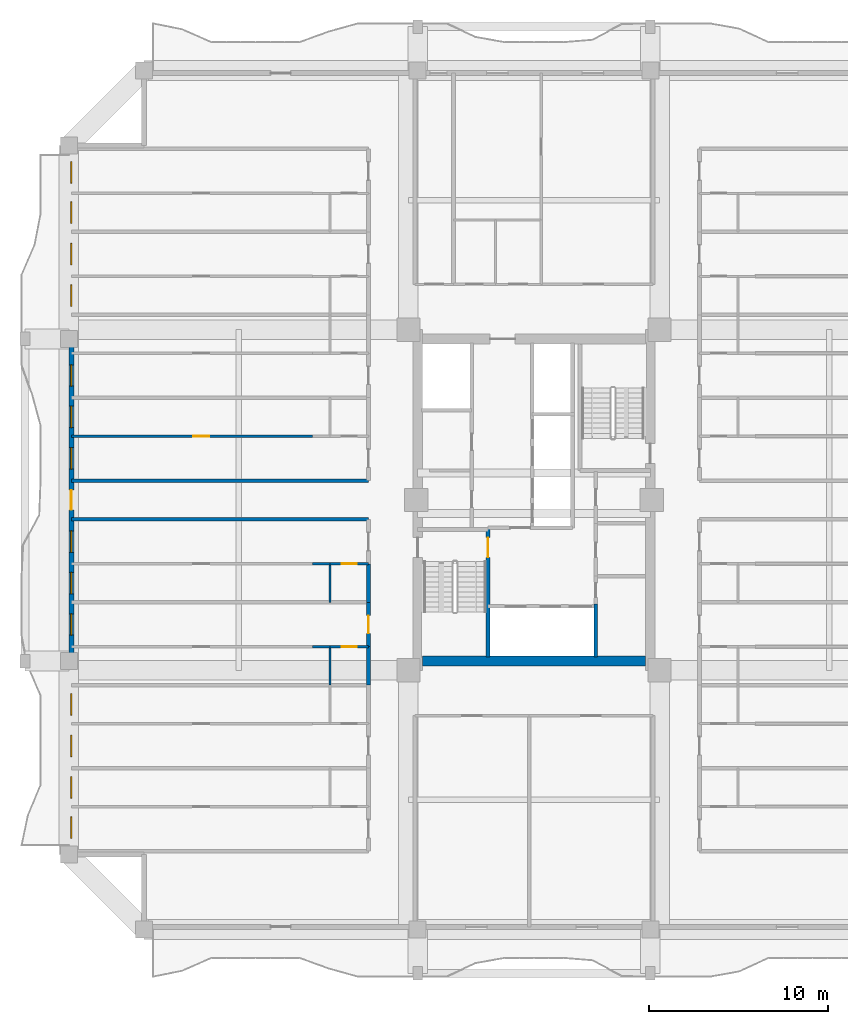
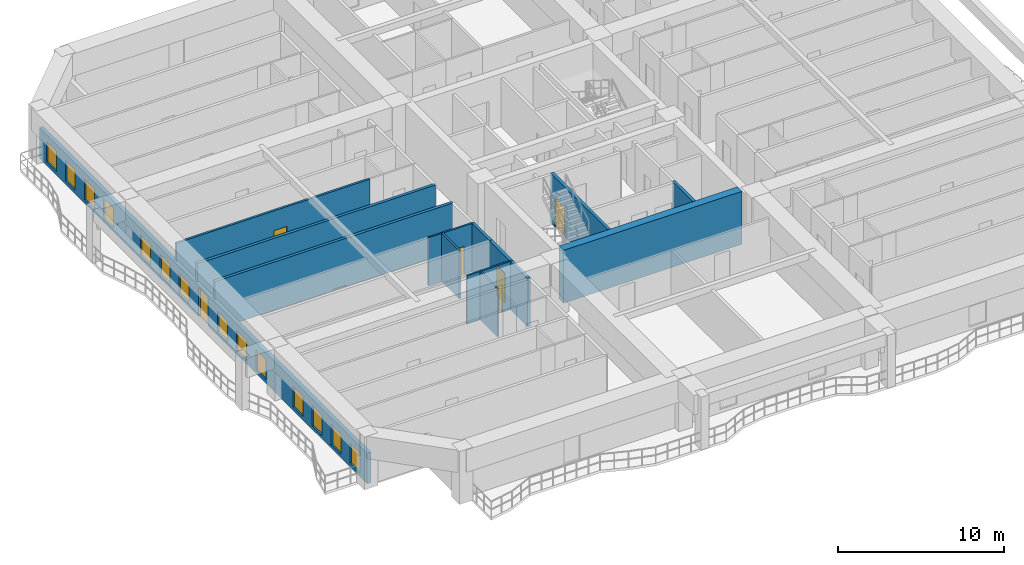
# One storey, part 3 of 13: 16 walls, 14 windows, 6 doors, 20 openings.
"""IFC4 building model written with IfcOpenShell, lengths in metres."""

import ifcopenshell
import ifcopenshell.guid

model = None  # the IFC model being written
_history = None  # IfcOwnerHistory: only IFC2X3 demands one
_inside = {}  # id of a spatial element -> (the spatial element, [elements in it])
_under = {}  # id of a project, library or spatial element -> (it, [spatial elements below it])
_declared = {}  # id of a project -> (the project, [libraries it declares])
_typed = {}  # id of a type object -> (the type object, [elements of that type])
_made_of = {}  # id of a material, layer set ... -> (it, [elements and type objects made of it])


def new_model(schema):
    """Start an empty IFC model of exactly this schema.

    Asked for "IFC4X3", IfcOpenShell would pick the latest addendum, in which some entities
    have other attributes; the version numbers below select the first issue.
    IFC2X3 requires an IfcOwnerHistory on every rooted entity: one is made here for all.
    """
    global model, _history
    if schema == "IFC4X3":
        model = ifcopenshell.file(schema_version=(4, 3, 0, 0))
    else:
        model = ifcopenshell.file(schema=schema)
    _inside.clear()
    _under.clear()
    _declared.clear()
    _typed.clear()
    _made_of.clear()
    _history = None
    if model.schema == "IFC2X3":
        org = make("IfcOrganization", Name="unknown")
        user = make(
            "IfcPersonAndOrganization",
            ThePerson=make("IfcPerson", FamilyName="unknown"),
            TheOrganization=org,
        )
        app = make(
            "IfcApplication",
            ApplicationDeveloper=org,
            Version="unknown",
            ApplicationFullName="unknown",
            ApplicationIdentifier="unknown",
        )
        _history = make(
            "IfcOwnerHistory",
            OwningUser=user,
            OwningApplication=app,
            ChangeAction="ADDED",
            CreationDate=0,
        )
    return model


def make(cls, **values):
    """One entity of the class cls with the attributes given. An attribute that is None is left unset."""
    return model.create_entity(
        cls, **{name: value for name, value in values.items() if value is not None}
    )


def rooted(cls, **values):
    """An entity with a GlobalId (a new one), such as an element, a storey or a relation."""
    return make(cls, GlobalId=ifcopenshell.guid.new(), OwnerHistory=_history, **values)


def si_unit(unit_type, name, prefix=None):
    """IfcSIUnit, for example si_unit("LENGTHUNIT", "METRE", prefix="MILLI")."""
    return make("IfcSIUnit", UnitType=unit_type, Prefix=prefix, Name=name)


def assignment(units):
    """IfcUnitAssignment: the units of a project."""
    return None if units is None else make("IfcUnitAssignment", Units=units)


def point(xyz):
    """IfcCartesianPoint."""
    return None if xyz is None else make("IfcCartesianPoint", Coordinates=xyz)


def direction(xyz):
    """IfcDirection."""
    return None if xyz is None else make("IfcDirection", DirectionRatios=xyz)


def frame(location, z_axis=None, x_axis=None):
    """IfcAxis2Placement3D, a coordinate frame: its origin and axes. An axis left out is left unset."""
    return make(
        "IfcAxis2Placement3D",
        Location=point(location),
        Axis=direction(z_axis),
        RefDirection=direction(x_axis),
    )


def frame_2d(location, x_axis=None):
    """IfcAxis2Placement2D, a coordinate frame in the plane: its origin and x axis."""
    return make(
        "IfcAxis2Placement2D", Location=point(location), RefDirection=direction(x_axis)
    )


def origin():
    """The frame at (0, 0, 0) with its axes left unset."""
    return frame((0.0, 0.0, 0.0))


def place(relative_to, where):
    """IfcLocalPlacement: puts the frame where relative to a parent placement (None: the world)."""
    return make(
        "IfcLocalPlacement", PlacementRelTo=relative_to, RelativePlacement=where
    )


def context(
    kind, dimensions, precision=None, world=None, true_north=None, identifier=None
):
    """IfcGeometricRepresentationContext, for example the 3D "Model" context."""
    return make(
        "IfcGeometricRepresentationContext",
        ContextIdentifier=identifier,
        ContextType=kind,
        CoordinateSpaceDimension=dimensions,
        Precision=precision,
        WorldCoordinateSystem=world,
        TrueNorth=true_north,
    )


def subcontext(parent, identifier, kind, view, scale=None):
    """IfcGeometricRepresentationSubContext, for example "Body" below "Model"."""
    return make(
        "IfcGeometricRepresentationSubContext",
        ContextIdentifier=identifier,
        ContextType=kind,
        ParentContext=parent,
        TargetScale=scale,
        TargetView=view,
    )


def project(units=None, contexts=None):
    """IfcProject with its units and contexts."""
    return rooted(
        "IfcProject",
        Name="project",
        RepresentationContexts=contexts,
        UnitsInContext=assignment(units),
    )


def spatial(cls, under=None, at=None, **own):
    """A site, building, storey or space (cls), placed at a placement, below another one or the project."""
    s = rooted(cls, ObjectPlacement=at, **own)
    if under is not None:
        _under.setdefault(under.id(), (under, []))[1].append(s)
    return s


def profile(cls, at=None, kind="AREA", **sizes):
    """A parametric profile (cls). Its sizes go by their IFC names, for example OverallWidth=200.0."""
    return make(cls, ProfileType=kind, Position=at, **sizes)


def rectangle(**sizes):
    """IfcRectangleProfileDef."""
    return profile("IfcRectangleProfileDef", **sizes)


def extrude(swept, where, along, depth):
    """IfcExtrudedAreaSolid: the profile swept, set in the frame where, extruded along a direction by depth."""
    return make(
        "IfcExtrudedAreaSolid",
        SweptArea=swept,
        Position=where,
        ExtrudedDirection=direction(along),
        Depth=depth,
    )


def shape(context_of_items, identifier, shape_type, items):
    """IfcShapeRepresentation: the items that make up one representation, for example the "Body"."""
    return make(
        "IfcShapeRepresentation",
        ContextOfItems=context_of_items,
        RepresentationIdentifier=identifier,
        RepresentationType=shape_type,
        Items=items,
    )


def source(mapping_origin, context_of_items, identifier, shape_type, items):
    """IfcRepresentationMap: a shape defined once, which mapped items show again and again."""
    return make(
        "IfcRepresentationMap",
        MappingOrigin=mapping_origin,
        MappedRepresentation=shape(context_of_items, identifier, shape_type, items),
    )


def transform(
    local_origin,
    x_axis=None,
    y_axis=None,
    z_axis=None,
    scale=None,
    scale2=None,
    scale3=None,
    uniform=True,
):
    """IfcCartesianTransformationOperator3D, or its non-uniform kind. x_axis, y_axis, z_axis: its Axis1, 2, 3."""
    if uniform:
        return make(
            "IfcCartesianTransformationOperator3D",
            Axis1=direction(x_axis),
            Axis2=direction(y_axis),
            LocalOrigin=point(local_origin),
            Scale=scale,
            Axis3=direction(z_axis),
        )
    return make(
        "IfcCartesianTransformationOperator3DnonUniform",
        Axis1=direction(x_axis),
        Axis2=direction(y_axis),
        LocalOrigin=point(local_origin),
        Scale=scale,
        Axis3=direction(z_axis),
        Scale2=scale2,
        Scale3=scale3,
    )


def mapped(mapping_source, mapping_target):
    """IfcMappedItem: shows the shape of a source again, moved by a transform."""
    return make(
        "IfcMappedItem", MappingSource=mapping_source, MappingTarget=mapping_target
    )


def material(Name=None, Category=None):
    """IfcMaterial."""
    return make("IfcMaterial", Name=Name, Category=Category)


def layer(
    of_material, thickness, ventilated=None, Name=None, Category=None, Priority=None
):
    """IfcMaterialLayer: one layer of a wall or slab, of a material (None: an air gap)."""
    return make(
        "IfcMaterialLayer",
        Material=of_material,
        LayerThickness=thickness,
        IsVentilated=ventilated,
        Name=Name,
        Category=Category,
        Priority=Priority,
    )


def layer_set(layers, Name=None):
    """IfcMaterialLayerSet."""
    return make("IfcMaterialLayerSet", MaterialLayers=layers, LayerSetName=Name)


def made_of(thing, what):
    """Note that an element or type object is made of a material, layer set ...; save() writes the relation."""
    if what is not None:
        _made_of.setdefault(what.id(), (what, []))[1].append(thing)
    return thing


def type_object(cls, material=None, **own):
    """A type object (cls), such as IfcWallType, which elements share."""
    return made_of(rooted(cls, **own), material)


def element(
    cls,
    number,
    at=None,
    inside=None,
    cuts=None,
    type_object=None,
    material=None,
    context=None,
    identifier="Body",
    shape_type=None,
    held_by="IfcProductDefinitionShape",
    body=None,
    shapes=None,
    **own,
):
    """One element of the class cls, such as IfcWall. Its Tag is "e" and its number.

    at: its placement. inside: the storey or other place that contains it. cuts: it is an
    opening in that element (IfcRelVoidsElement). A single representation is given by context,
    identifier, shape_type and body (its items); several are given by shapes. held_by: the class
    of the entity that holds the representations. save() writes the other relations.
    """
    e = rooted(cls, Tag="e%d" % number, ObjectPlacement=at, **own)
    if body is not None:
        shapes = [shape(context, identifier, shape_type, body)]
    if shapes is not None:
        e.Representation = make(held_by, Representations=shapes)
    if inside is not None:
        _inside.setdefault(inside.id(), (inside, []))[1].append(e)
    if cuts is not None:
        rooted(
            "IfcRelVoidsElement", RelatingBuildingElement=cuts, RelatedOpeningElement=e
        )
    if type_object is not None:
        _typed.setdefault(type_object.id(), (type_object, []))[1].append(e)
    return made_of(e, material)


def fill(opening, filler):
    """IfcRelFillsElement: the door or window that sits in an opening."""
    return rooted(
        "IfcRelFillsElement",
        RelatingOpeningElement=opening,
        RelatedBuildingElement=filler,
    )


def aggregate(whole, parts):
    """IfcRelAggregates: a whole, such as a stair, and the parts it consists of."""
    return rooted("IfcRelAggregates", RelatingObject=whole, RelatedObjects=parts)


def save(model, path):
    """Write the relations noted so far, then the file.

    IfcRelAggregates (storeys below a building ...), IfcRelContainedInSpatialStructure (elements
    in a storey), IfcRelDefinesByType, IfcRelAssociatesMaterial and IfcRelDeclares: one each for
    every whole, place, type object, material and project.
    """
    for whole, parts in _under.values():
        aggregate(whole, parts)
    for where, things in _inside.values():
        rooted(
            "IfcRelContainedInSpatialStructure",
            RelatedElements=things,
            RelatingStructure=where,
        )
    for kind, things in _typed.values():
        rooted("IfcRelDefinesByType", RelatedObjects=things, RelatingType=kind)
    for what, things in _made_of.values():
        rooted("IfcRelAssociatesMaterial", RelatedObjects=things, RelatingMaterial=what)
    for by, libraries in _declared.values():
        rooted("IfcRelDeclares", RelatingContext=by, RelatedDefinitions=libraries)
    model.write(path)


model = new_model("IFC4")

# Units and contexts
model_context = context("Model", 3, precision=1e-05, world=origin(), true_north=direction((0.0, 1.0)))
body_context = subcontext(model_context, "Body", "Model", "MODEL_VIEW")
ifc_project = project(units=[si_unit("LENGTHUNIT", "METRE"), si_unit("AREAUNIT", "SQUARE_METRE"), si_unit("VOLUMEUNIT", "CUBIC_METRE"), si_unit("PLANEANGLEUNIT", "RADIAN"), si_unit("MASSUNIT", "GRAM", prefix="KILO")], contexts=[model_context])

# Site, building, storey
site_placement = place(None, origin())
site = spatial("IfcSite", under=ifc_project, at=site_placement, CompositionType="ELEMENT")
building_placement = place(site_placement, origin())
building = spatial("IfcBuilding", under=site, at=building_placement, Name="Saelheon Loggia Tower", CompositionType="ELEMENT")
storey_placement = place(building_placement, frame((0.0, 0.0, 122.85009765625)))
storey = spatial("IfcBuildingStorey", under=building, at=storey_placement, Name="L39", CompositionType="ELEMENT", Elevation=122.85009765625)

# Wall
ifc_material_1 = material(Name="Concrete C50/60", Category="concrete")
ifc_layer_1 = layer(ifc_material_1, 0.550048828125)
ifc_layer_set_1 = layer_set([ifc_layer_1], Name="Concrete C50/60")
wall_type_1 = type_object("IfcWallType", Name="Wall_CoreShear_550", PredefinedType="SHEAR", material=ifc_layer_set_1)
wall_1_placement = place(storey_placement, frame((31.77490234375, 18.0, 0.0), z_axis=(0.0, 0.0, 1.0), x_axis=(1.0, 0.0, 0.0)))
element("IfcWall", 1, at=wall_1_placement, inside=storey, type_object=wall_type_1, Name="L39 Core Shear Wall South", PredefinedType="SHEAR", context=body_context, shape_type="SweptSolid", body=[
    extrude(rectangle(XDim=12.4501953125, YDim=0.550048828125, at=frame_2d((6.22509765625, 0.0))), origin(), (0.0, 0.0, 1.0), 3.89990234375),
])

# Wall, openings, windows, door
ifc_material_2 = material(Name="Architectural Precast Concrete C40/50", Category="concrete")
ifc_layer_2 = layer(ifc_material_2, 0.280029296875)
ifc_layer_set_2 = layer_set([ifc_layer_2], Name="Architectural Precast Concrete C40/50")
wall_type_2 = type_object("IfcWallType", Name="Wall_Ext_Loggia_280", PredefinedType="SOLIDWALL", material=ifc_layer_set_2)
wall_2_placement = place(storey_placement, frame((12.139892578125, 7.199951171875, 0.0), z_axis=(0.0, 0.0, 1.0), x_axis=(0.0, 1.0, 0.0)))
wall_2 = element("IfcWall", 2, at=wall_2_placement, inside=storey, type_object=wall_type_2, Name="L39 West Loggia Inner Wall", PredefinedType="SOLIDWALL", context=body_context, shape_type="SweptSolid", body=[
    extrude(rectangle(XDim=39.60009765625, YDim=0.280029296875, at=frame_2d((19.800048828125, 0.0))), origin(), (0.0, 0.0, 1.0), 2.239990234375),
])
opening_1_placement = place(wall_2_placement, frame((0.889892578125, 0.0, 0.25)))
opening_1 = element("IfcOpeningElement", 3, at=opening_1_placement, cuts=wall_2, Name="Opening WN-03", PredefinedType="OPENING", context=body_context, shape_type="SweptSolid", body=[
    extrude(rectangle(XDim=1.199951171875, YDim=1.5, at=frame_2d((0.60009765625, 0.75))), frame((0.0, 0.152099609375, 0.0), z_axis=(0.0, -1.0, 0.0), x_axis=(1.0, 0.0, 0.0)), (0.0, 0.0, 1.0), 0.303955078125),
])
opening_2_placement = place(wall_2_placement, frame((3.139892578125, 0.0, 0.25)))
opening_2 = element("IfcOpeningElement", 4, at=opening_2_placement, cuts=wall_2, Name="Opening WN-03", PredefinedType="OPENING", context=body_context, shape_type="SweptSolid", body=[
    extrude(rectangle(XDim=1.199951171875, YDim=1.5, at=frame_2d((0.60009765625, 0.75))), frame((0.0, 0.152099609375, 0.0), z_axis=(0.0, -1.0, 0.0), x_axis=(1.0, 0.0, 0.0)), (0.0, 0.0, 1.0), 0.303955078125),
])
opening_3_placement = place(wall_2_placement, frame((5.45751953125, 0.0, 0.25)))
opening_3 = element("IfcOpeningElement", 5, at=opening_3_placement, cuts=wall_2, Name="Opening WN-03", PredefinedType="OPENING", context=body_context, shape_type="SweptSolid", body=[
    extrude(rectangle(XDim=1.199951171875, YDim=1.5, at=frame_2d((0.60009765625, 0.75))), frame((0.0, 0.152099609375, 0.0), z_axis=(0.0, -1.0, 0.0), x_axis=(1.0, 0.0, 0.0)), (0.0, 0.0, 1.0), 0.303955078125),
])
opening_4_placement = place(wall_2_placement, frame((7.77490234375, 0.0, 0.25)))
opening_4 = element("IfcOpeningElement", 6, at=opening_4_placement, cuts=wall_2, Name="Opening WN-03", PredefinedType="OPENING", context=body_context, shape_type="SweptSolid", body=[
    extrude(rectangle(XDim=1.199951171875, YDim=1.5, at=frame_2d((0.60009765625, 0.75))), frame((0.0, 0.152099609375, 0.0), z_axis=(0.0, -1.0, 0.0), x_axis=(1.0, 0.0, 0.0)), (0.0, 0.0, 1.0), 0.303955078125),
])
opening_5_placement = place(wall_2_placement, frame((12.242431640625, 0.0, 0.25)))
opening_5 = element("IfcOpeningElement", 7, at=opening_5_placement, cuts=wall_2, Name="Opening WN-03", PredefinedType="OPENING", context=body_context, shape_type="SweptSolid", body=[
    extrude(rectangle(XDim=1.199951171875, YDim=1.5, at=frame_2d((0.60009765625, 0.75))), frame((0.0, 0.152099609375, 0.0), z_axis=(0.0, -1.0, 0.0), x_axis=(1.0, 0.0, 0.0)), (0.0, 0.0, 1.0), 0.303955078125),
])
opening_6_placement = place(wall_2_placement, frame((14.56005859375, 0.0, 0.25)))
opening_6 = element("IfcOpeningElement", 8, at=opening_6_placement, cuts=wall_2, Name="Opening WN-03", PredefinedType="OPENING", context=body_context, shape_type="SweptSolid", body=[
    extrude(rectangle(XDim=1.199951171875, YDim=1.5, at=frame_2d((0.60009765625, 0.75))), frame((0.0, 0.152099609375, 0.0), z_axis=(0.0, -1.0, 0.0), x_axis=(1.0, 0.0, 0.0)), (0.0, 0.0, 1.0), 0.303955078125),
])
opening_7_placement = place(wall_2_placement, frame((16.87744140625, 0.0, 0.25)))
opening_7 = element("IfcOpeningElement", 9, at=opening_7_placement, cuts=wall_2, Name="Opening WN-03", PredefinedType="OPENING", context=body_context, shape_type="SweptSolid", body=[
    extrude(rectangle(XDim=1.199951171875, YDim=1.5, at=frame_2d((0.60009765625, 0.75))), frame((0.0, 0.152099609375, 0.0), z_axis=(0.0, -1.0, 0.0), x_axis=(1.0, 0.0, 0.0)), (0.0, 0.0, 1.0), 0.303955078125),
])
opening_8_placement = place(wall_2_placement, frame((19.25, 0.0, 0.0)))
opening_8 = element("IfcOpeningElement", 10, at=opening_8_placement, cuts=wall_2, Name="Opening TD1", PredefinedType="OPENING", context=body_context, shape_type="SweptSolid", body=[
    extrude(rectangle(XDim=1.10009765625, YDim=2.14990234375, at=frame_2d((0.550048828125, 1.074951171875))), frame((0.0, 0.152099609375, 0.0), z_axis=(0.0, -1.0, 0.0), x_axis=(1.0, 0.0, 0.0)), (0.0, 0.0, 1.0), 0.303955078125),
])
opening_9_placement = place(wall_2_placement, frame((21.5224609375, 0.0, 0.25)))
opening_9 = element("IfcOpeningElement", 11, at=opening_9_placement, cuts=wall_2, Name="Opening WN-03", PredefinedType="OPENING", context=body_context, shape_type="SweptSolid", body=[
    extrude(rectangle(XDim=1.199951171875, YDim=1.5, at=frame_2d((0.60009765625, 0.75))), frame((0.0, 0.152099609375, 0.0), z_axis=(0.0, -1.0, 0.0), x_axis=(1.0, 0.0, 0.0)), (0.0, 0.0, 1.0), 0.303955078125),
])
opening_10_placement = place(wall_2_placement, frame((23.840087890625, 0.0, 0.25)))
opening_10 = element("IfcOpeningElement", 12, at=opening_10_placement, cuts=wall_2, Name="Opening WN-03", PredefinedType="OPENING", context=body_context, shape_type="SweptSolid", body=[
    extrude(rectangle(XDim=1.199951171875, YDim=1.5, at=frame_2d((0.60009765625, 0.75))), frame((0.0, 0.152099609375, 0.0), z_axis=(0.0, -1.0, 0.0), x_axis=(1.0, 0.0, 0.0)), (0.0, 0.0, 1.0), 0.303955078125),
])
opening_11_placement = place(wall_2_placement, frame((26.157470703125, 0.0, 0.25)))
opening_11 = element("IfcOpeningElement", 13, at=opening_11_placement, cuts=wall_2, Name="Opening WN-03", PredefinedType="OPENING", context=body_context, shape_type="SweptSolid", body=[
    extrude(rectangle(XDim=1.199951171875, YDim=1.5, at=frame_2d((0.60009765625, 0.75))), frame((0.0, 0.152099609375, 0.0), z_axis=(0.0, -1.0, 0.0), x_axis=(1.0, 0.0, 0.0)), (0.0, 0.0, 1.0), 0.303955078125),
])
opening_12_placement = place(wall_2_placement, frame((30.625, 0.0, 0.25)))
opening_12 = element("IfcOpeningElement", 14, at=opening_12_placement, cuts=wall_2, Name="Opening WN-03", PredefinedType="OPENING", context=body_context, shape_type="SweptSolid", body=[
    extrude(rectangle(XDim=1.199951171875, YDim=1.5, at=frame_2d((0.60009765625, 0.75))), frame((0.0, 0.152099609375, 0.0), z_axis=(0.0, -1.0, 0.0), x_axis=(1.0, 0.0, 0.0)), (0.0, 0.0, 1.0), 0.303955078125),
])
opening_13_placement = place(wall_2_placement, frame((32.9423828125, 0.0, 0.25)))
opening_13 = element("IfcOpeningElement", 15, at=opening_13_placement, cuts=wall_2, Name="Opening WN-03", PredefinedType="OPENING", context=body_context, shape_type="SweptSolid", body=[
    extrude(rectangle(XDim=1.199951171875, YDim=1.5, at=frame_2d((0.60009765625, 0.75))), frame((0.0, 0.152099609375, 0.0), z_axis=(0.0, -1.0, 0.0), x_axis=(1.0, 0.0, 0.0)), (0.0, 0.0, 1.0), 0.303955078125),
])
opening_14_placement = place(wall_2_placement, frame((35.260009765625, 0.0, 0.25)))
opening_14 = element("IfcOpeningElement", 16, at=opening_14_placement, cuts=wall_2, Name="Opening WN-03", PredefinedType="OPENING", context=body_context, shape_type="SweptSolid", body=[
    extrude(rectangle(XDim=1.199951171875, YDim=1.5, at=frame_2d((0.60009765625, 0.75))), frame((0.0, 0.152099609375, 0.0), z_axis=(0.0, -1.0, 0.0), x_axis=(1.0, 0.0, 0.0)), (0.0, 0.0, 1.0), 0.303955078125),
])
opening_15_placement = place(wall_2_placement, frame((37.510009765625, 0.0, 0.25)))
opening_15 = element("IfcOpeningElement", 17, at=opening_15_placement, cuts=wall_2, Name="Opening WN-03", PredefinedType="OPENING", context=body_context, shape_type="SweptSolid", body=[
    extrude(rectangle(XDim=1.199951171875, YDim=1.5, at=frame_2d((0.60009765625, 0.75))), frame((0.0, 0.152099609375, 0.0), z_axis=(0.0, -1.0, 0.0), x_axis=(1.0, 0.0, 0.0)), (0.0, 0.0, 1.0), 0.303955078125),
])
ifc_material_3 = material(Name="Thermal-Break Aluminium and Triple Low-E Glass", Category="aluminium")
window_type = type_object("IfcWindowType", Name="Win_Bedroom_1200x1500", PartitioningType="SINGLE_PANEL", PredefinedType="WINDOW", material=ifc_material_3)
shared_shape_1 = source(origin(), body_context, "Body", "SweptSolid", [
    extrude(rectangle(XDim=1.199951171875, YDim=1.5, at=frame_2d((0.60009765625, 0.75))), frame((0.0, 0.030029296875, 0.0), z_axis=(0.0, -1.0, 0.0), x_axis=(1.0, 0.0, 0.0)), (0.0, 0.0, 1.0), 0.06005859375),
])
window_1_placement = place(opening_1_placement, origin())
window_1 = element("IfcWindow", 18, at=window_1_placement, inside=storey, type_object=window_type, Name="L39 W Dwelling Window 1", OverallHeight=1.5, OverallWidth=1.199951171875, PartitioningType="SINGLE_PANEL", PredefinedType="WINDOW", context=body_context, shape_type="MappedRepresentation", body=[
    mapped(shared_shape_1, transform((0.0, 0.0, 0.0), scale=1.0)),
])
fill(opening_1, window_1)
window_2_placement = place(opening_2_placement, origin())
window_2 = element("IfcWindow", 19, at=window_2_placement, inside=storey, type_object=window_type, Name="L39 W Dwelling Window 2", OverallHeight=1.5, OverallWidth=1.199951171875, PartitioningType="SINGLE_PANEL", PredefinedType="WINDOW", context=body_context, shape_type="MappedRepresentation", body=[
    mapped(shared_shape_1, transform((0.0, 0.0, 0.0), scale=1.0)),
])
fill(opening_2, window_2)
window_3_placement = place(opening_3_placement, origin())
window_3 = element("IfcWindow", 20, at=window_3_placement, inside=storey, type_object=window_type, Name="L39 W Dwelling Window 3", OverallHeight=1.5, OverallWidth=1.199951171875, PartitioningType="SINGLE_PANEL", PredefinedType="WINDOW", context=body_context, shape_type="MappedRepresentation", body=[
    mapped(shared_shape_1, transform((0.0, 0.0, 0.0), scale=1.0)),
])
fill(opening_3, window_3)
window_4_placement = place(opening_4_placement, origin())
window_4 = element("IfcWindow", 21, at=window_4_placement, inside=storey, type_object=window_type, Name="L39 W Dwelling Window 4", OverallHeight=1.5, OverallWidth=1.199951171875, PartitioningType="SINGLE_PANEL", PredefinedType="WINDOW", context=body_context, shape_type="MappedRepresentation", body=[
    mapped(shared_shape_1, transform((0.0, 0.0, 0.0), scale=1.0)),
])
fill(opening_4, window_4)
window_5_placement = place(opening_5_placement, origin())
window_5 = element("IfcWindow", 22, at=window_5_placement, inside=storey, type_object=window_type, Name="L39 W Dwelling Window 5", OverallHeight=1.5, OverallWidth=1.199951171875, PartitioningType="SINGLE_PANEL", PredefinedType="WINDOW", context=body_context, shape_type="MappedRepresentation", body=[
    mapped(shared_shape_1, transform((0.0, 0.0, 0.0), scale=1.0)),
])
fill(opening_5, window_5)
window_6_placement = place(opening_6_placement, origin())
window_6 = element("IfcWindow", 23, at=window_6_placement, inside=storey, type_object=window_type, Name="L39 W Dwelling Window 6", OverallHeight=1.5, OverallWidth=1.199951171875, PartitioningType="SINGLE_PANEL", PredefinedType="WINDOW", context=body_context, shape_type="MappedRepresentation", body=[
    mapped(shared_shape_1, transform((0.0, 0.0, 0.0), scale=1.0)),
])
fill(opening_6, window_6)
window_7_placement = place(opening_7_placement, origin())
window_7 = element("IfcWindow", 24, at=window_7_placement, inside=storey, type_object=window_type, Name="L39 W Dwelling Window 7", OverallHeight=1.5, OverallWidth=1.199951171875, PartitioningType="SINGLE_PANEL", PredefinedType="WINDOW", context=body_context, shape_type="MappedRepresentation", body=[
    mapped(shared_shape_1, transform((0.0, 0.0, 0.0), scale=1.0)),
])
fill(opening_7, window_7)
window_8_placement = place(opening_9_placement, origin())
window_8 = element("IfcWindow", 25, at=window_8_placement, inside=storey, type_object=window_type, Name="L39 W Dwelling Window 9", OverallHeight=1.5, OverallWidth=1.199951171875, PartitioningType="SINGLE_PANEL", PredefinedType="WINDOW", context=body_context, shape_type="MappedRepresentation", body=[
    mapped(shared_shape_1, transform((0.0, 0.0, 0.0), scale=1.0)),
])
fill(opening_9, window_8)
window_9_placement = place(opening_10_placement, origin())
window_9 = element("IfcWindow", 26, at=window_9_placement, inside=storey, type_object=window_type, Name="L39 W Dwelling Window 10", OverallHeight=1.5, OverallWidth=1.199951171875, PartitioningType="SINGLE_PANEL", PredefinedType="WINDOW", context=body_context, shape_type="MappedRepresentation", body=[
    mapped(shared_shape_1, transform((0.0, 0.0, 0.0), scale=1.0)),
])
fill(opening_10, window_9)
window_10_placement = place(opening_11_placement, origin())
window_10 = element("IfcWindow", 27, at=window_10_placement, inside=storey, type_object=window_type, Name="L39 W Dwelling Window 11", OverallHeight=1.5, OverallWidth=1.199951171875, PartitioningType="SINGLE_PANEL", PredefinedType="WINDOW", context=body_context, shape_type="MappedRepresentation", body=[
    mapped(shared_shape_1, transform((0.0, 0.0, 0.0), scale=1.0)),
])
fill(opening_11, window_10)
window_11_placement = place(opening_12_placement, origin())
window_11 = element("IfcWindow", 28, at=window_11_placement, inside=storey, type_object=window_type, Name="L39 W Dwelling Window 12", OverallHeight=1.5, OverallWidth=1.199951171875, PartitioningType="SINGLE_PANEL", PredefinedType="WINDOW", context=body_context, shape_type="MappedRepresentation", body=[
    mapped(shared_shape_1, transform((0.0, 0.0, 0.0), scale=1.0)),
])
fill(opening_12, window_11)
window_12_placement = place(opening_13_placement, origin())
window_12 = element("IfcWindow", 29, at=window_12_placement, inside=storey, type_object=window_type, Name="L39 W Dwelling Window 13", OverallHeight=1.5, OverallWidth=1.199951171875, PartitioningType="SINGLE_PANEL", PredefinedType="WINDOW", context=body_context, shape_type="MappedRepresentation", body=[
    mapped(shared_shape_1, transform((0.0, 0.0, 0.0), scale=1.0)),
])
fill(opening_13, window_12)
window_13_placement = place(opening_14_placement, origin())
window_13 = element("IfcWindow", 30, at=window_13_placement, inside=storey, type_object=window_type, Name="L39 W Dwelling Window 14", OverallHeight=1.5, OverallWidth=1.199951171875, PartitioningType="SINGLE_PANEL", PredefinedType="WINDOW", context=body_context, shape_type="MappedRepresentation", body=[
    mapped(shared_shape_1, transform((0.0, 0.0, 0.0), scale=1.0)),
])
fill(opening_14, window_13)
window_14_placement = place(opening_15_placement, origin())
window_14 = element("IfcWindow", 31, at=window_14_placement, inside=storey, type_object=window_type, Name="L39 W Dwelling Window 15", OverallHeight=1.5, OverallWidth=1.199951171875, PartitioningType="SINGLE_PANEL", PredefinedType="WINDOW", context=body_context, shape_type="MappedRepresentation", body=[
    mapped(shared_shape_1, transform((0.0, 0.0, 0.0), scale=1.0)),
])
fill(opening_15, window_14)
ifc_material_4 = material(Name="Thermal-Break Aluminium Glazed Door", Category="aluminium")
door_type_1 = type_object("IfcDoorType", Name="Door_Terrace_TD1", OperationType="NOTDEFINED", PredefinedType="DOOR", material=ifc_material_4)
shared_shape_2 = source(origin(), body_context, "Body", "SweptSolid", [
    extrude(rectangle(XDim=1.10009765625, YDim=2.14990234375, at=frame_2d((0.550048828125, 1.074951171875))), frame((0.0, 0.02490234375, 0.0), z_axis=(0.0, -1.0, 0.0), x_axis=(1.0, 0.0, 0.0)), (0.0, 0.0, 1.0), 0.050048828125),
])
door_1_placement = place(opening_8_placement, origin())
door_1 = element("IfcDoor", 32, at=door_1_placement, inside=storey, type_object=door_type_1, Name="L39 W Loggia Access Door", OperationType="SINGLE_SWING_RIGHT", OverallHeight=2.14990234375, OverallWidth=1.10009765625, PredefinedType="DOOR", context=body_context, shape_type="MappedRepresentation", body=[
    mapped(shared_shape_2, transform((0.0, 0.0, 0.0), scale=1.0)),
])
fill(opening_8, door_1)

# Wall, opening, door
ifc_material_5 = material(Name="Lightweight Autoclaved Aerated Concrete Block and Acoustic Gypsum", Category="concrete")
ifc_layer_3 = layer(ifc_material_5, 0.14990234375)
ifc_layer_set_3 = layer_set([ifc_layer_3], Name="Lightweight Autoclaved Aerated Concrete Block and Acoustic Gypsum")
wall_type_3 = type_object("IfcWallType", Name="Wall_Part_150", PredefinedType="PARTITIONING", material=ifc_layer_set_3)
wall_3_placement = place(storey_placement, frame((25.6298828125, 30.56494140625, 0.0), z_axis=(0.0, 0.0, 1.0), x_axis=(-1.0, 0.0, 0.0)))
wall_3 = element("IfcWall", 33, at=wall_3_placement, inside=storey, type_object=wall_type_3, Name="L39 WN Partition U08", PredefinedType="PARTITIONING", context=body_context, shape_type="SweptSolid", body=[
    extrude(rectangle(XDim=13.47998046875, YDim=0.14990234375, at=frame_2d((6.739990234375, 0.0))), origin(), (0.0, 0.0, 1.0), 3.559814453125),
])
opening_16_placement = place(wall_3_placement, frame((5.785888671875, 0.0, 0.0)))
opening_16 = element("IfcOpeningElement", 34, at=opening_16_placement, cuts=wall_3, Name="Opening D-IN2", PredefinedType="OPENING", context=body_context, shape_type="SweptSolid", body=[
    extrude(rectangle(XDim=0.89990234375, YDim=2.10009765625, at=frame_2d((0.449951171875, 1.050048828125))), frame((0.0, 0.0869140625, 0.0), z_axis=(0.0, -1.0, 0.0), x_axis=(1.0, 0.0, 0.0)), (0.0, 0.0, 1.0), 0.173828125),
])
ifc_material_6 = material(Name="Engineered Oak Flush Door", Category="timber")
door_type_2 = type_object("IfcDoorType", Name="Door_Int_900", OperationType="NOTDEFINED", PredefinedType="DOOR", material=ifc_material_6)
shared_shape_3 = source(origin(), body_context, "Body", "SweptSolid", [
    extrude(rectangle(XDim=0.89990234375, YDim=2.10009765625, at=frame_2d((0.449951171875, 1.050048828125))), frame((0.0, 0.02490234375, 0.0), z_axis=(0.0, -1.0, 0.0), x_axis=(1.0, 0.0, 0.0)), (0.0, 0.0, 1.0), 0.050048828125),
])
door_2_placement = place(opening_16_placement, origin())
door_2 = element("IfcDoor", 35, at=door_2_placement, inside=storey, type_object=door_type_2, Name="Unit U05 Kitchen Door", OperationType="SINGLE_SWING_RIGHT", OverallHeight=2.10009765625, OverallWidth=0.89990234375, PredefinedType="DOOR", context=body_context, shape_type="MappedRepresentation", body=[
    mapped(shared_shape_3, transform((0.0, 0.0, 0.0), scale=1.0)),
])
fill(opening_16, door_2)

# Walls
ifc_material_7 = material(Name="Double Acoustic Stud and Fireboard Partition", Category="gypsum")
ifc_layer_4 = layer(ifc_material_7, 0.199951171875)
ifc_layer_set_4 = layer_set([ifc_layer_4], Name="Double Acoustic Stud and Fireboard Partition")
wall_type_4 = type_object("IfcWallType", Name="Wall_Party_200", PredefinedType="PARTITIONING", material=ifc_layer_set_4)
wall_4_placement = place(storey_placement, frame((28.75, 25.919921875, 0.0), z_axis=(0.0, 0.0, 1.0), x_axis=(-1.0, 0.0, 0.0)))
element("IfcWall", 36, at=wall_4_placement, inside=storey, type_object=wall_type_4, Name="L39 WS Partition U02", PredefinedType="PARTITIONING", context=body_context, shape_type="SweptSolid", body=[
    extrude(rectangle(XDim=16.60009765625, YDim=0.199951171875, at=frame_2d((8.300048828125, 0.0))), origin(), (0.0, 0.0, 1.0), 3.559814453125),
])
wall_5_placement = place(storey_placement, frame((28.75, 16.64990234375, 0.0), z_axis=(0.0, 0.0, 1.0), x_axis=(0.0, 1.0, 0.0)))
element("IfcWall", 37, at=wall_5_placement, inside=storey, type_object=wall_type_4, Name="L39 WS Partition V17", PredefinedType="PARTITIONING", context=body_context, shape_type="SweptSolid", body=[
    extrude(rectangle(XDim=2.150146484375, YDim=0.199951171875, at=frame_2d((1.0751953125, 0.0))), origin(), (0.0, 0.0, 1.0), 3.559814453125),
])

# Wall, opening, door
wall_6_placement = place(storey_placement, frame((28.75, 18.800048828125, 0.0), z_axis=(0.0, 0.0, 1.0), x_axis=(0.0, 1.0, 0.0)))
wall_6 = element("IfcWall", 38, at=wall_6_placement, inside=storey, type_object=wall_type_4, Name="L39 WS Partition V18", PredefinedType="PARTITIONING", context=body_context, shape_type="SweptSolid", body=[
    extrude(rectangle(XDim=2.48486328125, YDim=0.199951171875, at=frame_2d((1.242431640625, 0.0))), origin(), (0.0, 0.0, 1.0), 3.559814453125),
])
opening_17_placement = place(wall_6_placement, frame((0.742431640625, 0.0, 0.0)))
opening_17 = element("IfcOpeningElement", 39, at=opening_17_placement, cuts=wall_6, Name="Opening D-FD1", PredefinedType="OPENING", context=body_context, shape_type="SweptSolid", body=[
    extrude(rectangle(XDim=1.0, YDim=2.14990234375, at=frame_2d((0.5, 1.074951171875))), frame((0.0, 0.112060546875, 0.0), z_axis=(0.0, -1.0, 0.0), x_axis=(1.0, 0.0, 0.0)), (0.0, 0.0, 1.0), 0.223876953125),
])
ifc_material_8 = material(Name="Fire-Rated Engineered Timber Entrance Door", Category="wood")
door_type_3 = type_object("IfcDoorType", Name="Door_Flat_FD30S", OperationType="NOTDEFINED", PredefinedType="DOOR", material=ifc_material_8)
shared_shape_4 = source(origin(), body_context, "Body", "SweptSolid", [
    extrude(rectangle(XDim=1.0, YDim=2.14990234375, at=frame_2d((0.5, 1.074951171875))), frame((0.0, 0.02490234375, 0.0), z_axis=(0.0, -1.0, 0.0), x_axis=(1.0, 0.0, 0.0)), (0.0, 0.0, 1.0), 0.050048828125),
])
door_3_placement = place(opening_17_placement, origin())
door_3 = element("IfcDoor", 40, at=door_3_placement, inside=storey, type_object=door_type_3, Name="Unit U03 Entrance Door", OperationType="SINGLE_SWING_RIGHT", OverallHeight=2.14990234375, OverallWidth=1.0, PredefinedType="DOOR", context=body_context, shape_type="MappedRepresentation", body=[
    mapped(shared_shape_4, transform((0.0, 0.0, 0.0), scale=1.0)),
])
fill(opening_17, door_3)

# Walls
wall_7_placement = place(storey_placement, frame((28.75, 21.284912109375, 0.0), z_axis=(0.0, 0.0, 1.0), x_axis=(0.0, 1.0, 0.0)))
element("IfcWall", 41, at=wall_7_placement, inside=storey, type_object=wall_type_4, Name="L39 WS Partition V24", PredefinedType="PARTITIONING", context=body_context, shape_type="SweptSolid", body=[
    extrude(rectangle(XDim=2.150146484375, YDim=0.199951171875, at=frame_2d((1.0751953125, 0.0))), origin(), (0.0, 0.0, 1.0), 3.559814453125),
])
wall_8_placement = place(storey_placement, frame((28.75, 28.080078125, 0.0), z_axis=(0.0, 0.0, 1.0), x_axis=(-1.0, 0.0, 0.0)))
element("IfcWall", 42, at=wall_8_placement, inside=storey, type_object=wall_type_4, Name="L39 WN Partition U01", PredefinedType="PARTITIONING", context=body_context, shape_type="SweptSolid", body=[
    extrude(rectangle(XDim=16.60009765625, YDim=0.199951171875, at=frame_2d((8.300048828125, 0.0))), origin(), (0.0, 0.0, 1.0), 3.559814453125),
])
ifc_material_9 = material(Name="Concrete C40/50", Category="concrete")
ifc_layer_5 = layer(ifc_material_9, 0.199951171875)
ifc_layer_set_5 = layer_set([ifc_layer_5], Name="Concrete C40/50")
wall_type_5 = type_object("IfcWallType", Name="Wall_Shaft_200", PredefinedType="PARTITIONING", material=ifc_layer_set_5)
wall_9_placement = place(storey_placement, frame((41.449951171875, 18.219970703125, 0.0), z_axis=(0.0, 0.0, 1.0), x_axis=(0.0, 1.0, 0.0)))
element("IfcWall", 43, at=wall_9_placement, inside=storey, type_object=wall_type_5, Name="CW-INT-L39-BOH-W0", PredefinedType="PARTITIONING", context=body_context, shape_type="SweptSolid", body=[
    extrude(rectangle(XDim=2.9599609375, YDim=0.199951171875, at=frame_2d((1.47998046875, 0.0))), origin(), (0.0, 0.0, 1.0), 3.559814453125),
])

# Wall, opening, door
ifc_material_10 = material(Name="Concrete C45/55", Category="concrete")
ifc_layer_6 = layer(ifc_material_10, 0.199951171875)
ifc_layer_set_6 = layer_set([ifc_layer_6], Name="Concrete C45/55")
wall_type_6 = type_object("IfcWallType", Name="Wall_StairShaft_RC200", PredefinedType="SOLIDWALL", material=ifc_layer_set_6)
wall_10_placement = place(storey_placement, frame((35.429931640625, 18.219970703125, 0.0), z_axis=(0.0, 0.0, 1.0), x_axis=(0.0, 1.0, 0.0)))
wall_10 = element("IfcWall", 44, at=wall_10_placement, inside=storey, type_object=wall_type_6, Name="L39 Stair ST1 Shaft Wall", PredefinedType="SOLIDWALL", context=body_context, shape_type="SweptSolid", body=[
    extrude(rectangle(XDim=7.219970703125, YDim=0.199951171875, at=frame_2d((3.60986328125, 0.0))), origin(), (0.0, 0.0, 1.0), 3.68994140625),
])
opening_18_placement = place(wall_10_placement, frame((6.68017578125, 0.0, 0.0), z_axis=(0.0, 0.0, 1.0), x_axis=(-1.0, 0.0, 0.0)))
opening_18 = element("IfcOpeningElement", 45, at=opening_18_placement, cuts=wall_10, Name="Opening D-FD2", PredefinedType="OPENING", context=body_context, shape_type="SweptSolid", body=[
    extrude(rectangle(XDim=1.10009765625, YDim=2.14990234375, at=frame_2d((0.550048828125, 1.074951171875))), frame((0.0, 0.112060546875, 0.0), z_axis=(0.0, -1.0, 0.0), x_axis=(1.0, 0.0, 0.0)), (0.0, 0.0, 1.0), 0.223876953125),
])
ifc_material_11 = material(Name="Galvanised Steel Fire Door", Category="steel")
door_type_4 = type_object("IfcDoorType", Name="Door_Fire_FD60_1100", OperationType="NOTDEFINED", PredefinedType="DOOR", material=ifc_material_11)
door_4_placement = place(opening_18_placement, origin())
door_4 = element("IfcDoor", 46, at=door_4_placement, inside=storey, type_object=door_type_4, Name="L39 Stair ST1 Lobby Door", OperationType="SINGLE_SWING_RIGHT", OverallHeight=2.14990234375, OverallWidth=1.10009765625, PredefinedType="DOOR", context=body_context, shape_type="MappedRepresentation", body=[
    mapped(shared_shape_2, transform((0.0, 0.0, 0.0), scale=1.0)),
])
fill(opening_18, door_4)

ifc_material_12 = material(Name="Moisture-Resistant Cement Board Partition", Category="gypsum")
ifc_layer_7 = layer(ifc_material_12, 0.1201171875)
ifc_layer_set_7 = layer_set([ifc_layer_7], Name="Moisture-Resistant Cement Board Partition")
wall_type_7 = type_object("IfcWallType", Name="Wall_WetPart_120", PredefinedType="PARTITIONING", material=ifc_layer_set_7)
wall_11_placement = place(storey_placement, frame((28.75, 18.800048828125, 0.0), z_axis=(0.0, 0.0, 1.0), x_axis=(-1.0, 0.0, 0.0)))
wall_11 = element("IfcWall", 47, at=wall_11_placement, inside=storey, type_object=wall_type_7, Name="L39 WS Partition U19", PredefinedType="PARTITIONING", context=body_context, shape_type="SweptSolid", body=[
    extrude(rectangle(XDim=2.14990234375, YDim=0.1201171875, at=frame_2d((1.074951171875, 0.0))), origin(), (0.0, 0.0, 1.0), 3.559814453125),
])
opening_19_placement = place(wall_11_placement, frame((0.64990234375, 0.0, 0.0)))
opening_19 = element("IfcOpeningElement", 48, at=opening_19_placement, cuts=wall_11, Name="Opening D-BT1", PredefinedType="OPENING", context=body_context, shape_type="SweptSolid", body=[
    extrude(rectangle(XDim=0.85009765625, YDim=2.050048828125, at=frame_2d((0.425048828125, 1.02490234375))), frame((0.0, 0.072021484375, 0.0), z_axis=(0.0, -1.0, 0.0), x_axis=(1.0, 0.0, 0.0)), (0.0, 0.0, 1.0), 0.14404296875),
])
ifc_material_13 = material(Name="Moisture-Resistant Laminate Timber Door", Category="wood")
door_type_5 = type_object("IfcDoorType", Name="Door_Bath_850", OperationType="NOTDEFINED", PredefinedType="DOOR", material=ifc_material_13)
shared_shape_5 = source(origin(), body_context, "Body", "SweptSolid", [
    extrude(rectangle(XDim=0.85009765625, YDim=2.050048828125, at=frame_2d((0.425048828125, 1.02490234375))), frame((0.0, 0.02490234375, 0.0), z_axis=(0.0, -1.0, 0.0), x_axis=(1.0, 0.0, 0.0)), (0.0, 0.0, 1.0), 0.050048828125),
])
door_5_placement = place(opening_19_placement, origin())
door_5 = element("IfcDoor", 49, at=door_5_placement, inside=storey, type_object=door_type_5, Name="Unit U03 Bathroom Door", OperationType="SINGLE_SWING_LEFT", OverallHeight=2.050048828125, OverallWidth=0.85009765625, PredefinedType="DOOR", context=body_context, shape_type="MappedRepresentation", body=[
    mapped(shared_shape_5, transform((0.0, 0.0, 0.0), scale=1.0)),
])
fill(opening_19, door_5)

# Walls
wall_12_placement = place(storey_placement, frame((26.60009765625, 18.800048828125, 0.0), z_axis=(0.0, 0.0, 1.0), x_axis=(-1.0, 0.0, 0.0)))
element("IfcWall", 50, at=wall_12_placement, inside=storey, type_object=wall_type_7, Name="L39 WS Partition U20", PredefinedType="PARTITIONING", context=body_context, shape_type="SweptSolid", body=[
    extrude(rectangle(XDim=0.97021484375, YDim=0.1201171875, at=frame_2d((0.485107421875, 0.0))), origin(), (0.0, 0.0, 1.0), 3.559814453125),
])
wall_13_placement = place(storey_placement, frame((26.60009765625, 16.64990234375, 0.0), z_axis=(0.0, 0.0, 1.0), x_axis=(0.0, 1.0, 0.0)))
element("IfcWall", 51, at=wall_13_placement, inside=storey, type_object=wall_type_7, Name="L39 WS Partition V21", PredefinedType="PARTITIONING", context=body_context, shape_type="SweptSolid", body=[
    extrude(rectangle(XDim=2.150146484375, YDim=0.1201171875, at=frame_2d((1.0751953125, 0.0))), origin(), (0.0, 0.0, 1.0), 3.559814453125),
])

# Wall, opening, door
wall_14_placement = place(storey_placement, frame((28.75, 23.43505859375, 0.0), z_axis=(0.0, 0.0, 1.0), x_axis=(-1.0, 0.0, 0.0)))
wall_14 = element("IfcWall", 52, at=wall_14_placement, inside=storey, type_object=wall_type_7, Name="L39 WS Partition U26", PredefinedType="PARTITIONING", context=body_context, shape_type="SweptSolid", body=[
    extrude(rectangle(XDim=2.14990234375, YDim=0.1201171875, at=frame_2d((1.074951171875, 0.0))), origin(), (0.0, 0.0, 1.0), 3.559814453125),
])
opening_20_placement = place(wall_14_placement, frame((0.64990234375, 0.0, 0.0)))
opening_20 = element("IfcOpeningElement", 53, at=opening_20_placement, cuts=wall_14, Name="Opening D-BT1", PredefinedType="OPENING", context=body_context, shape_type="SweptSolid", body=[
    extrude(rectangle(XDim=0.85009765625, YDim=2.050048828125, at=frame_2d((0.425048828125, 1.02490234375))), frame((0.0, 0.072021484375, 0.0), z_axis=(0.0, -1.0, 0.0), x_axis=(1.0, 0.0, 0.0)), (0.0, 0.0, 1.0), 0.14404296875),
])
door_6_placement = place(opening_20_placement, origin())
door_6 = element("IfcDoor", 54, at=door_6_placement, inside=storey, type_object=door_type_5, Name="Unit U04 Bathroom Door", OperationType="SINGLE_SWING_RIGHT", OverallHeight=2.050048828125, OverallWidth=0.85009765625, PredefinedType="DOOR", context=body_context, shape_type="MappedRepresentation", body=[
    mapped(shared_shape_5, transform((0.0, 0.0, 0.0), scale=1.0)),
])
fill(opening_20, door_6)

# Walls
wall_15_placement = place(storey_placement, frame((26.60009765625, 23.43505859375, 0.0), z_axis=(0.0, 0.0, 1.0), x_axis=(-1.0, 0.0, 0.0)))
element("IfcWall", 55, at=wall_15_placement, inside=storey, type_object=wall_type_7, Name="L39 WS Partition U27", PredefinedType="PARTITIONING", context=body_context, shape_type="SweptSolid", body=[
    extrude(rectangle(XDim=0.97021484375, YDim=0.1201171875, at=frame_2d((0.485107421875, 0.0))), origin(), (0.0, 0.0, 1.0), 3.559814453125),
])
wall_16_placement = place(storey_placement, frame((26.60009765625, 21.284912109375, 0.0), z_axis=(0.0, 0.0, 1.0), x_axis=(0.0, 1.0, 0.0)))
element("IfcWall", 56, at=wall_16_placement, inside=storey, type_object=wall_type_7, Name="L39 WS Partition V28", PredefinedType="PARTITIONING", context=body_context, shape_type="SweptSolid", body=[
    extrude(rectangle(XDim=2.150146484375, YDim=0.1201171875, at=frame_2d((1.0751953125, 0.0))), origin(), (0.0, 0.0, 1.0), 3.559814453125),
])

save(model, "model.ifc")
